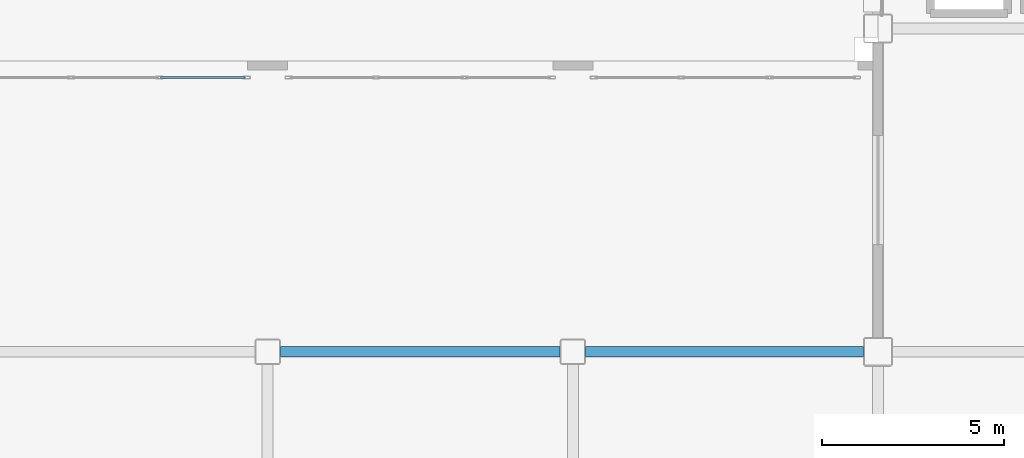
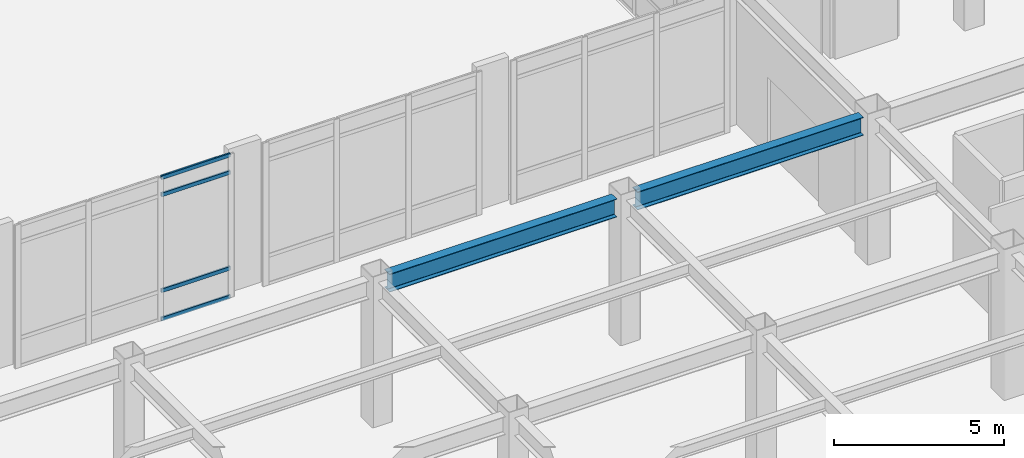
# One storey, part 92 of 165: 4 members, 2 beams, 1 element without a shape of its own.
"""IFC4 building model written with IfcOpenShell, lengths in metres."""

from ifc_helpers import new_model, si_unit, direction, frame, origin, origin_2d, place, context, subcontext, project, spatial, hollow_rectangle, i_section, extrude, material, layer, layer_set, material_profile, profile_set, type_object, element, aggregate, save


model = new_model("IFC4")

# Units and contexts
model_context = context("Model", 3, precision=1e-05, world=origin(), true_north=direction((0.0, 1.0)))
body_context = subcontext(model_context, "Body", "Model", "MODEL_VIEW")
ifc_project = project(units=[si_unit("LENGTHUNIT", "METRE"), si_unit("AREAUNIT", "SQUARE_METRE"), si_unit("VOLUMEUNIT", "CUBIC_METRE"), si_unit("PLANEANGLEUNIT", "RADIAN"), si_unit("MASSUNIT", "GRAM", prefix="KILO")], contexts=[model_context])

# Site, building, storey
site_placement = place(None, origin())
site = spatial("IfcSite", under=ifc_project, at=site_placement, CompositionType="ELEMENT")
building_placement = place(site_placement, origin())
building = spatial("IfcBuilding", under=site, at=building_placement, Name="Kazehara Bluff Congress Hotel", CompositionType="ELEMENT")
storey_placement = place(building_placement, origin())
storey = spatial("IfcBuildingStorey", under=building, at=storey_placement, Name="L00", CompositionType="ELEMENT", Elevation=0.0)

# Curtain wall, members
ifc_material_1 = material(Name="Anodised aluminium", Category="aluminium")
ifc_layer = layer(ifc_material_1, 0.159912109375)
ifc_layer_set = layer_set([ifc_layer], Name="Anodised aluminium")
curtain_wall_type = type_object("IfcCurtainWallType", Name="TP-CW-46", PredefinedType="NOTDEFINED", material=ifc_layer_set)
curtain_wall_placement = place(storey_placement, origin())
curtain_wall = element("IfcCurtainWall", 1, at=curtain_wall_placement, inside=storey, type_object=curtain_wall_type, Name="L00 curtain wall CW-46 CW-V5-L00-Y3955-11905", PredefinedType="NOTDEFINED")
ifc_material_2 = material(Name="Anodised aluminium", Category="aluminium")
ifc_material_profile_1 = material_profile(ifc_material_2, hollow_rectangle(XDim=0.06494140625, YDim=0.139892578125, WallThickness=0.00390625, InnerFilletRadius=0.00390625, OuterFilletRadius=0.008056640625, at=origin_2d()))
ifc_profile_set_1 = profile_set([ifc_material_profile_1], Name="Anodised aluminium")
member_type = type_object("IfcMemberType", Name="TP-CWT-02", PredefinedType="USERDEFINED", material=ifc_profile_set_1)
member_1_placement = place(storey_placement, frame((123.95166015625, 39.550048828125, 0.032470703125), z_axis=(1.0, 0.0, 0.0), x_axis=(0.0, 1.0, 0.0)))
member_1 = element("IfcMember", 2, at=member_1_placement, type_object=member_type, Name="CW-46 transom 3.1", ObjectType="TRANSOM", PredefinedType="USERDEFINED", context=body_context, shape_type="SweptSolid", body=[
    extrude(hollow_rectangle(XDim=0.06494140625, YDim=0.139892578125, WallThickness=0.00390625, InnerFilletRadius=0.00390625, OuterFilletRadius=0.008056640625, at=origin_2d()), origin(), (0.0, 0.0, 1.0), 2.328369140625),
])
member_2_placement = place(storey_placement, frame((123.95166015625, 39.550048828125, 1.050048828125), z_axis=(1.0, 0.0, 0.0), x_axis=(0.0, 1.0, 0.0)))
member_2 = element("IfcMember", 3, at=member_2_placement, type_object=member_type, Name="CW-46 transom 3.2", ObjectType="TRANSOM", PredefinedType="USERDEFINED", context=body_context, shape_type="SweptSolid", body=[
    extrude(hollow_rectangle(XDim=0.06494140625, YDim=0.139892578125, WallThickness=0.00390625, InnerFilletRadius=0.00390625, OuterFilletRadius=0.008056640625, at=origin_2d()), origin(), (0.0, 0.0, 1.0), 2.328369140625),
])
member_3_placement = place(storey_placement, frame((123.95166015625, 39.550048828125, 4.485107421875), z_axis=(1.0, 0.0, 0.0), x_axis=(0.0, 1.0, 0.0)))
member_3 = element("IfcMember", 4, at=member_3_placement, type_object=member_type, Name="CW-46 transom 3.3", ObjectType="TRANSOM", PredefinedType="USERDEFINED", context=body_context, shape_type="SweptSolid", body=[
    extrude(hollow_rectangle(XDim=0.06494140625, YDim=0.139892578125, WallThickness=0.00390625, InnerFilletRadius=0.00390625, OuterFilletRadius=0.008056640625, at=origin_2d()), origin(), (0.0, 0.0, 1.0), 2.328369140625),
])
member_4_placement = place(storey_placement, frame((123.95166015625, 39.550048828125, 5.1025390625), z_axis=(1.0, 0.0, 0.0), x_axis=(0.0, 1.0, 0.0)))
member_4 = element("IfcMember", 5, at=member_4_placement, type_object=member_type, Name="CW-46 transom 3.4", ObjectType="TRANSOM", PredefinedType="USERDEFINED", context=body_context, shape_type="SweptSolid", body=[
    extrude(hollow_rectangle(XDim=0.06494140625, YDim=0.139892578125, WallThickness=0.00390625, InnerFilletRadius=0.00390625, OuterFilletRadius=0.008056640625, at=origin_2d()), origin(), (0.0, 0.0, 1.0), 2.328369140625),
])
aggregate(curtain_wall, [member_1, member_2, member_3, member_4])

# Beams
ifc_material_3 = material(Name="Steel SN490B", Category="steel")
ifc_material_profile_2 = material_profile(ifc_material_3, i_section(OverallWidth=0.300048828125, OverallDepth=0.64990234375, WebThickness=0.011962890625, FlangeThickness=0.02001953125, FilletRadius=0.012939453125, at=origin_2d()))
ifc_profile_set_2 = profile_set([ifc_material_profile_2], Name="Steel SN490B")
beam_type = type_object("IfcBeamType", Name="TP-G-03", PredefinedType="BEAM", material=ifc_profile_set_2)
beam_1_placement = place(storey_placement, frame((127.25, 32.0, 4.824951171875), z_axis=(1.0, 0.0, 0.0), x_axis=(0.0, 1.0, 0.0)))
element("IfcBeam", 6, at=beam_1_placement, inside=storey, type_object=beam_type, Name="L00 girder G-03 292", PredefinedType="BEAM", context=body_context, shape_type="SweptSolid", body=[
    extrude(i_section(OverallWidth=0.300048828125, OverallDepth=0.64990234375, WebThickness=0.011962890625, FlangeThickness=0.02001953125, FilletRadius=0.012939453125, at=origin_2d()), origin(), (0.0, 0.0, 1.0), 7.699951171875),
])
beam_2_placement = place(storey_placement, frame((135.64990234375, 32.0, 4.824951171875), z_axis=(1.0, 0.0, 0.0), x_axis=(0.0, 1.0, 0.0)))
element("IfcBeam", 7, at=beam_2_placement, inside=storey, type_object=beam_type, Name="L00 girder G-03 293", PredefinedType="BEAM", context=body_context, shape_type="SweptSolid", body=[
    extrude(i_section(OverallWidth=0.300048828125, OverallDepth=0.64990234375, WebThickness=0.011962890625, FlangeThickness=0.02001953125, FilletRadius=0.012939453125, at=origin_2d()), origin(), (0.0, 0.0, 1.0), 7.650146484375),
])

save(model, "model.ifc")
